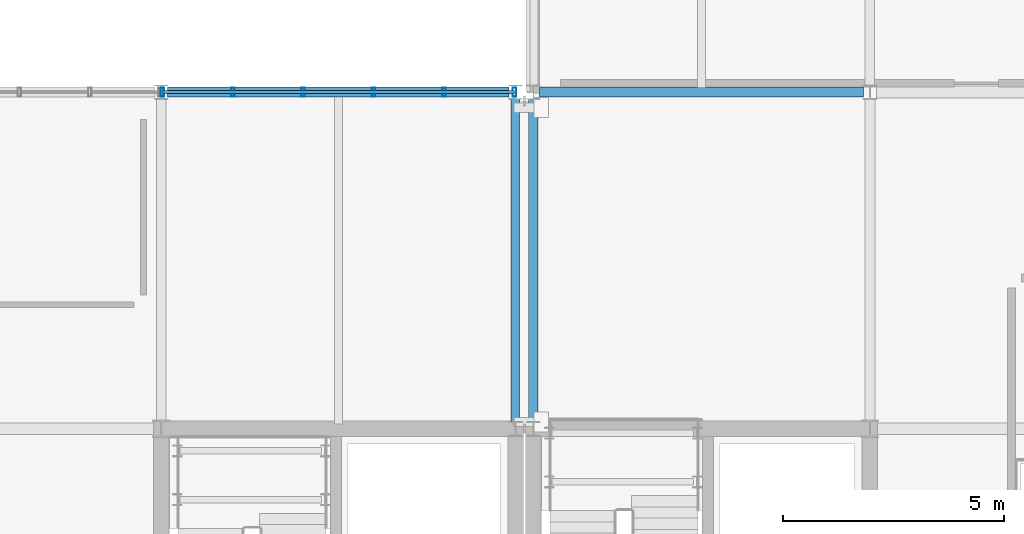
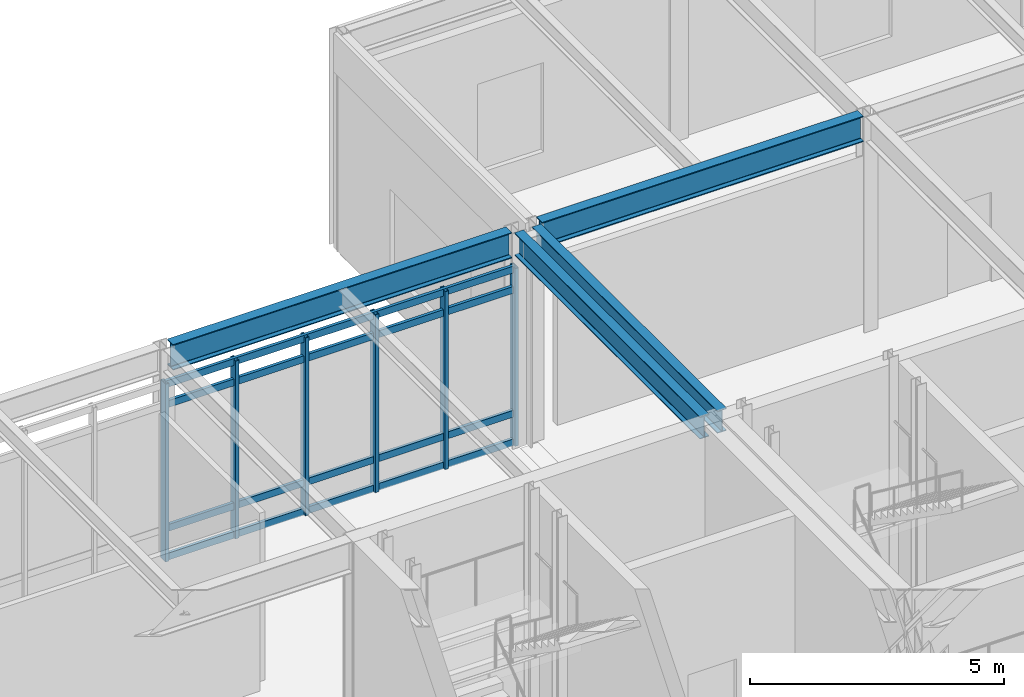
# One storey, part 48 of 94: 10 members, 4 beams, 1 element without a shape of its own.
"""IFC4 building model written with IfcOpenShell, lengths in metres."""

from ifc_helpers import new_model, si_unit, direction, frame, origin, origin_2d, place, context, subcontext, project, spatial, hollow_rectangle, i_section, extrude, material, material_profile, profile_set, type_object, element, aggregate, save


model = new_model("IFC4")

# Units and contexts
model_context = context("Model", 3, precision=1e-05, world=origin(), true_north=direction((0.0, 1.0)))
body_context = subcontext(model_context, "Body", "Model", "MODEL_VIEW")
ifc_project = project(units=[si_unit("LENGTHUNIT", "METRE"), si_unit("AREAUNIT", "SQUARE_METRE"), si_unit("VOLUMEUNIT", "CUBIC_METRE"), si_unit("PLANEANGLEUNIT", "RADIAN"), si_unit("MASSUNIT", "GRAM", prefix="KILO")], contexts=[model_context])

# Site, building, storey
site_placement = place(None, origin())
site = spatial("IfcSite", under=ifc_project, at=site_placement, CompositionType="ELEMENT")
building_placement = place(site_placement, origin())
building = spatial("IfcBuilding", under=site, at=building_placement, Name="Zulena Civic Courthouse", CompositionType="ELEMENT")
storey_placement = place(building_placement, frame((0.0, 0.0, 5.39990234375)))
storey = spatial("IfcBuildingStorey", under=building, at=storey_placement, Name="L01", CompositionType="ELEMENT", Elevation=5.39990234375)

# Curtain wall, members
ifc_material_1 = material(Name="Double-silver low-E laminated solar-control glass", Category="glass")
curtain_wall_type = type_object("IfcCurtainWallType", Name="CW_7952x4280", PredefinedType="USERDEFINED", material=ifc_material_1)
curtain_wall_placement = place(storey_placement, origin())
curtain_wall = element("IfcCurtainWall", 1, at=curtain_wall_placement, inside=storey, type_object=curtain_wall_type, Name="cw:V4:L01:1:6", ObjectType="UNITISED CURTAIN WALL", PredefinedType="USERDEFINED")
ifc_material_2 = material(Name="Bronze anodised thermally broken aluminium AA6063-T6", Category="aluminium")
ifc_material_profile_1 = material_profile(ifc_material_2, hollow_rectangle(XDim=0.080078125, YDim=0.199951171875, WallThickness=0.0048828125, at=origin_2d()), Name="CWM200X80X5")
ifc_profile_set_1 = profile_set([ifc_material_profile_1], Name="Bronze anodised thermally broken aluminium AA6063-T6")
member_type_1 = type_object("IfcMemberType", Name="CWMullion_200x80", PredefinedType="MULLION", material=ifc_profile_set_1)
member_1_placement = place(storey_placement, frame((116.02392578125, 45.60009765625, 0.0), z_axis=(0.0, 0.0, 1.0), x_axis=(1.0, 0.0, 0.0)))
member_1 = element("IfcMember", 2, at=member_1_placement, type_object=member_type_1, Name="cw:V4:L01:1:6:mull:0", PredefinedType="MULLION", context=body_context, shape_type="SweptSolid", body=[
    extrude(hollow_rectangle(XDim=0.080078125, YDim=0.199951171875, WallThickness=0.0048828125, at=origin_2d()), origin(), (0.0, 0.0, 1.0), 4.280029296875),
])
member_2_placement = place(storey_placement, frame((117.614501953125, 45.60009765625, 0.0), z_axis=(0.0, 0.0, 1.0), x_axis=(1.0, 0.0, 0.0)))
member_2 = element("IfcMember", 3, at=member_2_placement, type_object=member_type_1, Name="cw:V4:L01:1:6:mull:1", PredefinedType="MULLION", context=body_context, shape_type="SweptSolid", body=[
    extrude(hollow_rectangle(XDim=0.080078125, YDim=0.199951171875, WallThickness=0.0048828125, at=origin_2d()), origin(), (0.0, 0.0, 1.0), 4.280029296875),
])
member_3_placement = place(storey_placement, frame((119.204833984375, 45.60009765625, 0.0), z_axis=(0.0, 0.0, 1.0), x_axis=(1.0, 0.0, 0.0)))
member_3 = element("IfcMember", 4, at=member_3_placement, type_object=member_type_1, Name="cw:V4:L01:1:6:mull:2", PredefinedType="MULLION", context=body_context, shape_type="SweptSolid", body=[
    extrude(hollow_rectangle(XDim=0.080078125, YDim=0.199951171875, WallThickness=0.0048828125, at=origin_2d()), origin(), (0.0, 0.0, 1.0), 4.280029296875),
])
member_4_placement = place(storey_placement, frame((120.795166015625, 45.60009765625, 0.0), z_axis=(0.0, 0.0, 1.0), x_axis=(1.0, 0.0, 0.0)))
member_4 = element("IfcMember", 5, at=member_4_placement, type_object=member_type_1, Name="cw:V4:L01:1:6:mull:3", PredefinedType="MULLION", context=body_context, shape_type="SweptSolid", body=[
    extrude(hollow_rectangle(XDim=0.080078125, YDim=0.199951171875, WallThickness=0.0048828125, at=origin_2d()), origin(), (0.0, 0.0, 1.0), 4.280029296875),
])
member_5_placement = place(storey_placement, frame((122.385498046875, 45.60009765625, 0.0), z_axis=(0.0, 0.0, 1.0), x_axis=(1.0, 0.0, 0.0)))
member_5 = element("IfcMember", 6, at=member_5_placement, type_object=member_type_1, Name="cw:V4:L01:1:6:mull:4", PredefinedType="MULLION", context=body_context, shape_type="SweptSolid", body=[
    extrude(hollow_rectangle(XDim=0.080078125, YDim=0.199951171875, WallThickness=0.0048828125, at=origin_2d()), origin(), (0.0, 0.0, 1.0), 4.280029296875),
])
member_6_placement = place(storey_placement, frame((123.97607421875, 45.60009765625, 0.0), z_axis=(0.0, 0.0, 1.0), x_axis=(1.0, 0.0, 0.0)))
member_6 = element("IfcMember", 7, at=member_6_placement, type_object=member_type_1, Name="cw:V4:L01:1:6:mull:5", PredefinedType="MULLION", context=body_context, shape_type="SweptSolid", body=[
    extrude(hollow_rectangle(XDim=0.080078125, YDim=0.199951171875, WallThickness=0.0048828125, at=origin_2d()), origin(), (0.0, 0.0, 1.0), 4.280029296875),
])
ifc_material_profile_2 = material_profile(ifc_material_2, hollow_rectangle(XDim=0.070068359375, YDim=0.1650390625, WallThickness=0.00390625, at=origin_2d()), Name="CWT165X70X4")
ifc_profile_set_2 = profile_set([ifc_material_profile_2], Name="Bronze anodised thermally broken aluminium AA6063-T6")
member_type_2 = type_object("IfcMemberType", Name="CWTransom_165x70", PredefinedType="USERDEFINED", material=ifc_profile_set_2)
member_7_placement = place(storey_placement, frame((116.02392578125, 45.60009765625, 0.06005859375), z_axis=(1.0, 0.0, 0.0), x_axis=(0.0, 1.0, 0.0)))
member_7 = element("IfcMember", 8, at=member_7_placement, type_object=member_type_2, Name="cw:V4:L01:1:6:tran:0", ObjectType="TRANSOM", PredefinedType="USERDEFINED", context=body_context, shape_type="SweptSolid", body=[
    extrude(hollow_rectangle(XDim=0.070068359375, YDim=0.1650390625, WallThickness=0.00390625, at=origin_2d()), origin(), (0.0, 0.0, 1.0), 7.9521484375),
])
member_8_placement = place(storey_placement, frame((116.02392578125, 45.60009765625, 0.75), z_axis=(1.0, 0.0, 0.0), x_axis=(0.0, 1.0, 0.0)))
member_8 = element("IfcMember", 9, at=member_8_placement, type_object=member_type_2, Name="cw:V4:L01:1:6:tran:1", ObjectType="TRANSOM", PredefinedType="USERDEFINED", context=body_context, shape_type="SweptSolid", body=[
    extrude(hollow_rectangle(XDim=0.070068359375, YDim=0.1650390625, WallThickness=0.00390625, at=origin_2d()), origin(), (0.0, 0.0, 1.0), 7.9521484375),
])
member_9_placement = place(storey_placement, frame((116.02392578125, 45.60009765625, 3.72998046875), z_axis=(1.0, 0.0, 0.0), x_axis=(0.0, 1.0, 0.0)))
member_9 = element("IfcMember", 10, at=member_9_placement, type_object=member_type_2, Name="cw:V4:L01:1:6:tran:2", ObjectType="TRANSOM", PredefinedType="USERDEFINED", context=body_context, shape_type="SweptSolid", body=[
    extrude(hollow_rectangle(XDim=0.070068359375, YDim=0.1650390625, WallThickness=0.00390625, at=origin_2d()), origin(), (0.0, 0.0, 1.0), 7.9521484375),
])
member_10_placement = place(storey_placement, frame((116.02392578125, 45.60009765625, 4.22021484375), z_axis=(1.0, 0.0, 0.0), x_axis=(0.0, 1.0, 0.0)))
member_10 = element("IfcMember", 11, at=member_10_placement, type_object=member_type_2, Name="cw:V4:L01:1:6:tran:3", ObjectType="TRANSOM", PredefinedType="USERDEFINED", context=body_context, shape_type="SweptSolid", body=[
    extrude(hollow_rectangle(XDim=0.070068359375, YDim=0.1650390625, WallThickness=0.00390625, at=origin_2d()), origin(), (0.0, 0.0, 1.0), 7.9521484375),
])
aggregate(curtain_wall, [member_1, member_2, member_3, member_4, member_5, member_6, member_7, member_8, member_9, member_10])

# Beams
ifc_material_3 = material(Name="Steel ASTM A992 Grade 50", Category="steel")
ifc_material_profile_3 = material_profile(ifc_material_3, i_section(OverallWidth=0.2099609375, OverallDepth=0.537109375, WebThickness=0.010986328125, FlangeThickness=0.017333984375, FilletRadius=0.0126953125, at=origin_2d()), Name="W21X68")
ifc_profile_set_3 = profile_set([ifc_material_profile_3], Name="Steel ASTM A992 Grade 50")
beam_type_1 = type_object("IfcBeamType", Name="Spandrel_W21X68", PredefinedType="SPANDREL", material=ifc_profile_set_3)
for number, where, z_axis, x_axis, name in (
    (12, (124.39990234375, 38.14501953125, 4.91650390625), (0.0, 1.0, 0.0), (-1.0, 0.0, 0.0), "beam:Y:V3:L01:124.4:38.0_45.6"),
    (13, (124.0, 38.14501953125, 4.91650390625), (0.0, 1.0, 0.0), (-1.0, 0.0, 0.0), "beam:Y:V4:L01:124.0:38.0_45.6"),
):
    element("IfcBeam", number, at=place(storey_placement, frame(where, z_axis=z_axis, x_axis=x_axis)), inside=storey, type_object=beam_type_1, Name=name, PredefinedType="SPANDREL", context=body_context, shape_type="SweptSolid", body=[
        extrude(i_section(OverallWidth=0.2099609375, OverallDepth=0.537109375, WebThickness=0.010986328125, FlangeThickness=0.017333984375, FilletRadius=0.0126953125, at=origin_2d()), origin(), (0.0, 0.0, 1.0), 7.31005859375),
    ])
ifc_material_profile_4 = material_profile(ifc_material_3, i_section(OverallWidth=0.22998046875, OverallDepth=0.616943359375, WebThickness=0.01318359375, FlangeThickness=0.022216796875, FilletRadius=0.0126953125, at=origin_2d()), Name="W24X94")
ifc_profile_set_4 = profile_set([ifc_material_profile_4], Name="Steel ASTM A992 Grade 50")
beam_type_2 = type_object("IfcBeamType", Name="Spandrel_W24X94", PredefinedType="SPANDREL", material=ifc_profile_set_4)
beam_1_placement = place(storey_placement, frame((124.544921875, 45.60009765625, 4.876708984375), z_axis=(1.0, 0.0, 0.0), x_axis=(0.0, 1.0, 0.0)))
element("IfcBeam", 14, at=beam_1_placement, inside=storey, type_object=beam_type_2, Name="beam:X:V3:L01:45.6:124.4_132.0", PredefinedType="SPANDREL", context=body_context, shape_type="SweptSolid", body=[
    extrude(i_section(OverallWidth=0.22998046875, OverallDepth=0.616943359375, WebThickness=0.01318359375, FlangeThickness=0.022216796875, FilletRadius=0.0126953125, at=origin_2d()), origin(), (0.0, 0.0, 1.0), 7.31005859375),
])
beam_2_placement = place(storey_placement, frame((116.14501953125, 45.60009765625, 4.876708984375), z_axis=(1.0, 0.0, 0.0), x_axis=(0.0, 1.0, 0.0)))
element("IfcBeam", 15, at=beam_2_placement, inside=storey, type_object=beam_type_2, Name="beam:X:V4:L01:45.6:116.0_124.0", PredefinedType="SPANDREL", context=body_context, shape_type="SweptSolid", body=[
    extrude(i_section(OverallWidth=0.22998046875, OverallDepth=0.616943359375, WebThickness=0.01318359375, FlangeThickness=0.022216796875, FilletRadius=0.0126953125, at=origin_2d()), origin(), (0.0, 0.0, 1.0), 7.7099609375),
])

save(model, "model.ifc")
